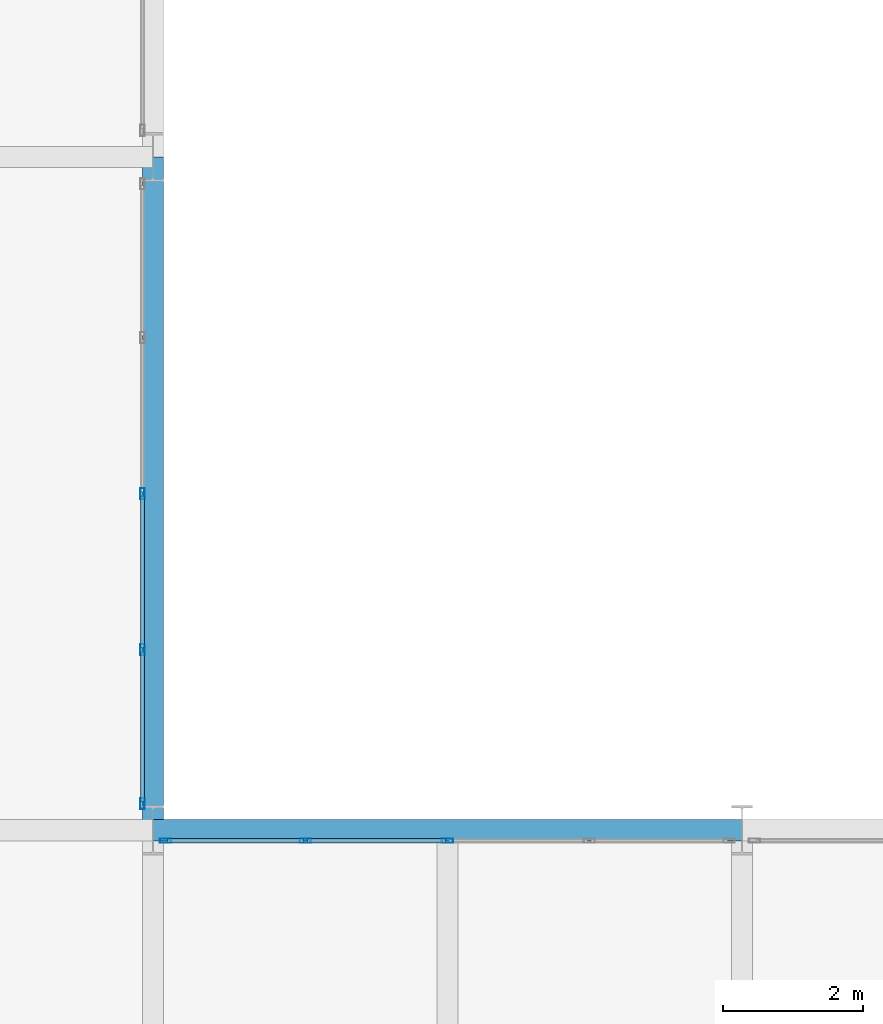
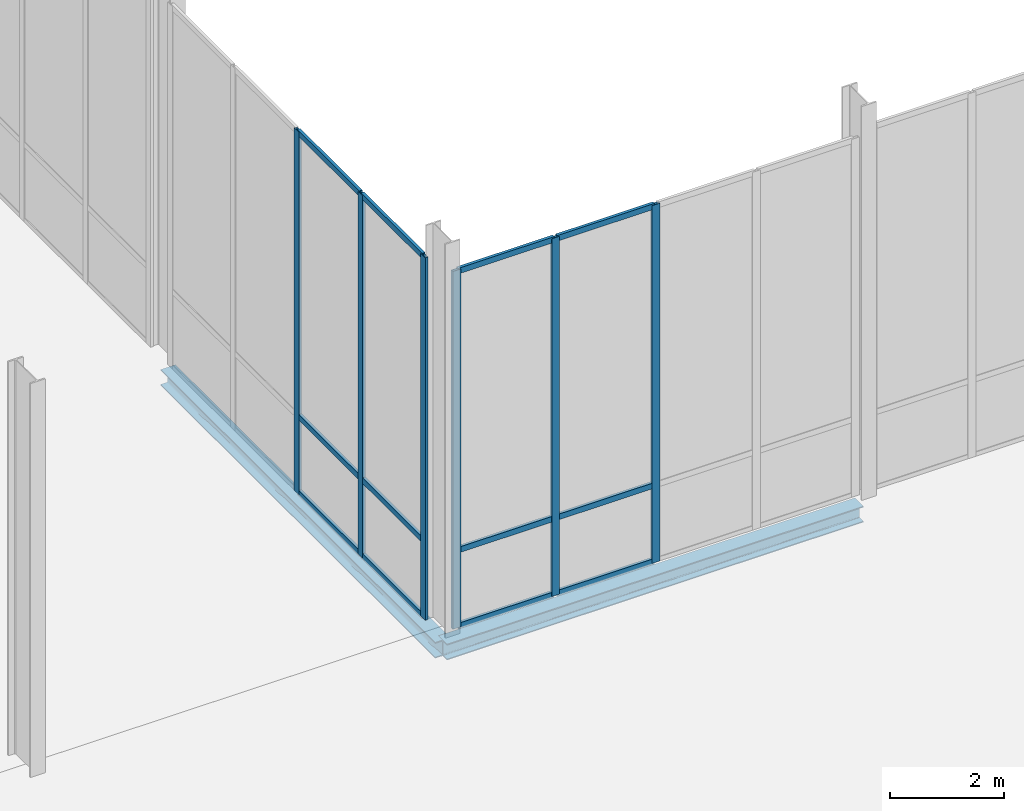
# One storey, part 72 of 131: 18 members, 2 beams, 2 elements without a shape of their own.
"""IFC4 building model written with IfcOpenShell, lengths in metres."""

from ifc_helpers import new_model, si_unit, direction, frame, origin, origin_2d, place, context, subcontext, project, spatial, hollow_rectangle, i_section, extrude, material, material_profile, profile_set, type_object, element, aggregate, save


model = new_model("IFC4")

# Units and contexts
model_context = context("Model", 3, precision=1e-05, world=origin(), true_north=direction((0.0, 1.0)))
body_context = subcontext(model_context, "Body", "Model", "MODEL_VIEW")
ifc_project = project(units=[si_unit("LENGTHUNIT", "METRE"), si_unit("AREAUNIT", "SQUARE_METRE"), si_unit("VOLUMEUNIT", "CUBIC_METRE"), si_unit("PLANEANGLEUNIT", "RADIAN"), si_unit("MASSUNIT", "GRAM", prefix="KILO")], contexts=[model_context])

# Site, building, storey
site_placement = place(None, origin())
site = spatial("IfcSite", under=ifc_project, at=site_placement, CompositionType="ELEMENT")
building_placement = place(site_placement, origin())
building = spatial("IfcBuilding", under=site, at=building_placement, Name="Veltarok Museum of Natural Sciences", CompositionType="ELEMENT")
storey_placement = place(building_placement, origin())
storey = spatial("IfcBuildingStorey", under=building, at=storey_placement, Name="L00", CompositionType="ELEMENT", Elevation=0.0)

# Curtain wall, members
ifc_material_1 = material(Name="Low-iron triple insulated glass", Category="glass")
curtain_wall_type_1 = type_object("IfcCurtainWallType", Name="Curtain Wall System CW-V2NH-L00-3-810x763 (CW-V2NH L00 810x763cm)", PredefinedType="NOTDEFINED", material=ifc_material_1)
curtain_wall_1_placement = place(storey_placement, origin())
curtain_wall_1 = element("IfcCurtainWall", 1, at=curtain_wall_1_placement, inside=storey, type_object=curtain_wall_type_1, Name="Curtain Wall CW-V2NH-L00-3-810x763 CW-0151", PredefinedType="NOTDEFINED")
ifc_material_2 = material(Name="Thermally broken anodised aluminium", Category="aluminium")
ifc_material_profile_1 = material_profile(ifc_material_2, hollow_rectangle(XDim=0.06005859375, YDim=0.1201171875, WallThickness=0.0048828125, at=origin_2d()), Name="CW TRANSOM 60x120x5")
ifc_profile_set_1 = profile_set([ifc_material_profile_1], Name="Thermally broken anodised aluminium")
member_type_1 = type_object("IfcMemberType", Name="Curtain Wall Horizontal Transom 60x120x5", PredefinedType="USERDEFINED", material=ifc_profile_set_1)
member_1_placement = place(storey_placement, frame((86.169921875, 71.85009765625, 0.028076171875), z_axis=(-1.0, 0.0, 0.0), x_axis=(0.0, -1.0, 0.0)))
member_1 = element("IfcMember", 2, at=member_1_placement, type_object=member_type_1, Name="CW-V2NH-L00-3-810x763 transom 3.1", ObjectType="TRANSOM", PredefinedType="USERDEFINED", context=body_context, shape_type="SweptSolid", body=[
    extrude(hollow_rectangle(XDim=0.06005859375, YDim=0.1201171875, WallThickness=0.0048828125, at=origin_2d()), origin(), (0.0, 0.0, 1.0), 1.96484375),
])
member_2_placement = place(storey_placement, frame((86.169921875, 71.85009765625, 1.64794921875), z_axis=(-1.0, 0.0, 0.0), x_axis=(0.0, -1.0, 0.0)))
member_2 = element("IfcMember", 3, at=member_2_placement, type_object=member_type_1, Name="CW-V2NH-L00-3-810x763 transom 3.2", ObjectType="TRANSOM", PredefinedType="USERDEFINED", context=body_context, shape_type="SweptSolid", body=[
    extrude(hollow_rectangle(XDim=0.06005859375, YDim=0.1201171875, WallThickness=0.0048828125, at=origin_2d()), origin(), (0.0, 0.0, 1.0), 1.96484375),
])
member_3_placement = place(storey_placement, frame((86.169921875, 71.85009765625, 7.60009765625), z_axis=(-1.0, 0.0, 0.0), x_axis=(0.0, -1.0, 0.0)))
member_3 = element("IfcMember", 4, at=member_3_placement, type_object=member_type_1, Name="CW-V2NH-L00-3-810x763 transom 3.3", ObjectType="TRANSOM", PredefinedType="USERDEFINED", context=body_context, shape_type="SweptSolid", body=[
    extrude(hollow_rectangle(XDim=0.06005859375, YDim=0.1201171875, WallThickness=0.0048828125, at=origin_2d()), origin(), (0.0, 0.0, 1.0), 1.96484375),
])
member_4_placement = place(storey_placement, frame((84.14501953125, 71.85009765625, 0.028076171875), z_axis=(-1.0, 0.0, 0.0), x_axis=(0.0, -1.0, 0.0)))
member_4 = element("IfcMember", 5, at=member_4_placement, type_object=member_type_1, Name="CW-V2NH-L00-3-810x763 transom 4.1", ObjectType="TRANSOM", PredefinedType="USERDEFINED", context=body_context, shape_type="SweptSolid", body=[
    extrude(hollow_rectangle(XDim=0.06005859375, YDim=0.1201171875, WallThickness=0.0048828125, at=origin_2d()), origin(), (0.0, 0.0, 1.0), 1.93505859375),
])
member_5_placement = place(storey_placement, frame((84.14501953125, 71.85009765625, 1.64794921875), z_axis=(-1.0, 0.0, 0.0), x_axis=(0.0, -1.0, 0.0)))
member_5 = element("IfcMember", 6, at=member_5_placement, type_object=member_type_1, Name="CW-V2NH-L00-3-810x763 transom 4.2", ObjectType="TRANSOM", PredefinedType="USERDEFINED", context=body_context, shape_type="SweptSolid", body=[
    extrude(hollow_rectangle(XDim=0.06005859375, YDim=0.1201171875, WallThickness=0.0048828125, at=origin_2d()), origin(), (0.0, 0.0, 1.0), 1.93505859375),
])
member_6_placement = place(storey_placement, frame((84.14501953125, 71.85009765625, 7.60009765625), z_axis=(-1.0, 0.0, 0.0), x_axis=(0.0, -1.0, 0.0)))
member_6 = element("IfcMember", 7, at=member_6_placement, type_object=member_type_1, Name="CW-V2NH-L00-3-810x763 transom 4.3", ObjectType="TRANSOM", PredefinedType="USERDEFINED", context=body_context, shape_type="SweptSolid", body=[
    extrude(hollow_rectangle(XDim=0.06005859375, YDim=0.1201171875, WallThickness=0.0048828125, at=origin_2d()), origin(), (0.0, 0.0, 1.0), 1.93505859375),
])

curtain_wall_type_2 = type_object("IfcCurtainWallType", Name="Curtain Wall System CW-V2NPE-L00-1-890x773 (CW-V2NPE L00 890x773cm)", PredefinedType="NOTDEFINED", material=ifc_material_1)
curtain_wall_2_placement = place(storey_placement, origin())
curtain_wall_2 = element("IfcCurtainWall", 8, at=curtain_wall_2_placement, inside=storey, type_object=curtain_wall_type_2, Name="Curtain Wall CW-V2NPE-L00-1-890x773 CW-0217", PredefinedType="NOTDEFINED")
member_7_placement = place(storey_placement, frame((81.85009765625, 72.409912109375, 0.028076171875), z_axis=(0.0, 1.0, 0.0), x_axis=(-1.0, 0.0, 0.0)))
member_7 = element("IfcMember", 9, at=member_7_placement, type_object=member_type_1, Name="CW-V2NPE-L00-1-890x773 transom 1.1", ObjectType="TRANSOM", PredefinedType="USERDEFINED", context=body_context, shape_type="SweptSolid", body=[
    extrude(hollow_rectangle(XDim=0.06005859375, YDim=0.1201171875, WallThickness=0.0048828125, at=origin_2d()), origin(), (0.0, 0.0, 1.0), 2.135009765625),
])
member_8_placement = place(storey_placement, frame((81.85009765625, 72.409912109375, 1.64794921875), z_axis=(0.0, 1.0, 0.0), x_axis=(-1.0, 0.0, 0.0)))
member_8 = element("IfcMember", 10, at=member_8_placement, type_object=member_type_1, Name="CW-V2NPE-L00-1-890x773 transom 1.2", ObjectType="TRANSOM", PredefinedType="USERDEFINED", context=body_context, shape_type="SweptSolid", body=[
    extrude(hollow_rectangle(XDim=0.06005859375, YDim=0.1201171875, WallThickness=0.0048828125, at=origin_2d()), origin(), (0.0, 0.0, 1.0), 2.135009765625),
])
member_9_placement = place(storey_placement, frame((81.85009765625, 72.409912109375, 7.699951171875), z_axis=(0.0, 1.0, 0.0), x_axis=(-1.0, 0.0, 0.0)))
member_9 = element("IfcMember", 11, at=member_9_placement, type_object=member_type_1, Name="CW-V2NPE-L00-1-890x773 transom 1.3", ObjectType="TRANSOM", PredefinedType="USERDEFINED", context=body_context, shape_type="SweptSolid", body=[
    extrude(hollow_rectangle(XDim=0.06005859375, YDim=0.1201171875, WallThickness=0.0048828125, at=origin_2d()), origin(), (0.0, 0.0, 1.0), 2.135009765625),
])
member_10_placement = place(storey_placement, frame((81.85009765625, 74.60498046875, 0.028076171875), z_axis=(0.0, 1.0, 0.0), x_axis=(-1.0, 0.0, 0.0)))
member_10 = element("IfcMember", 12, at=member_10_placement, type_object=member_type_1, Name="CW-V2NPE-L00-1-890x773 transom 2.1", ObjectType="TRANSOM", PredefinedType="USERDEFINED", context=body_context, shape_type="SweptSolid", body=[
    extrude(hollow_rectangle(XDim=0.06005859375, YDim=0.1201171875, WallThickness=0.0048828125, at=origin_2d()), origin(), (0.0, 0.0, 1.0), 2.1650390625),
])
member_11_placement = place(storey_placement, frame((81.85009765625, 74.60498046875, 1.64794921875), z_axis=(0.0, 1.0, 0.0), x_axis=(-1.0, 0.0, 0.0)))
member_11 = element("IfcMember", 13, at=member_11_placement, type_object=member_type_1, Name="CW-V2NPE-L00-1-890x773 transom 2.2", ObjectType="TRANSOM", PredefinedType="USERDEFINED", context=body_context, shape_type="SweptSolid", body=[
    extrude(hollow_rectangle(XDim=0.06005859375, YDim=0.1201171875, WallThickness=0.0048828125, at=origin_2d()), origin(), (0.0, 0.0, 1.0), 2.1650390625),
])
member_12_placement = place(storey_placement, frame((81.85009765625, 74.60498046875, 7.699951171875), z_axis=(0.0, 1.0, 0.0), x_axis=(-1.0, 0.0, 0.0)))
member_12 = element("IfcMember", 14, at=member_12_placement, type_object=member_type_1, Name="CW-V2NPE-L00-1-890x773 transom 2.3", ObjectType="TRANSOM", PredefinedType="USERDEFINED", context=body_context, shape_type="SweptSolid", body=[
    extrude(hollow_rectangle(XDim=0.06005859375, YDim=0.1201171875, WallThickness=0.0048828125, at=origin_2d()), origin(), (0.0, 0.0, 1.0), 2.1650390625),
])

# Member
ifc_material_profile_2 = material_profile(ifc_material_2, hollow_rectangle(XDim=0.06005859375, YDim=0.159912109375, WallThickness=0.0048828125, at=origin_2d()), Name="CW MULLION 60x160x5")
ifc_profile_set_2 = profile_set([ifc_material_profile_2], Name="Thermally broken anodised aluminium")
member_type_2 = type_object("IfcMemberType", Name="Curtain Wall Vertical Mullion 60x160x5", PredefinedType="MULLION", material=ifc_profile_set_2)
member_13_placement = place(storey_placement, frame((86.199951171875, 71.85009765625, -0.001953125), z_axis=(0.0, 0.0, 1.0), x_axis=(0.0, -1.0, 0.0)))
member_13 = element("IfcMember", 15, at=member_13_placement, type_object=member_type_2, Name="CW-V2NH-L00-3-810x763 mullion 3", PredefinedType="MULLION", context=body_context, shape_type="SweptSolid", body=[
    extrude(hollow_rectangle(XDim=0.06005859375, YDim=0.159912109375, WallThickness=0.0048828125, at=origin_2d()), origin(), (0.0, 0.0, 1.0), 7.6318359375),
])

member_14_placement = place(storey_placement, frame((84.175048828125, 71.85009765625, -0.001953125), z_axis=(0.0, 0.0, 1.0), x_axis=(0.0, -1.0, 0.0)))
member_14 = element("IfcMember", 16, at=member_14_placement, type_object=member_type_2, Name="CW-V2NH-L00-3-810x763 mullion 4", PredefinedType="MULLION", context=body_context, shape_type="SweptSolid", body=[
    extrude(hollow_rectangle(XDim=0.06005859375, YDim=0.159912109375, WallThickness=0.0048828125, at=origin_2d()), origin(), (0.0, 0.0, 1.0), 7.6318359375),
])

member_15_placement = place(storey_placement, frame((82.179931640625, 71.85009765625, -0.001953125), z_axis=(0.0, 0.0, 1.0), x_axis=(0.0, -1.0, 0.0)))
member_15 = element("IfcMember", 17, at=member_15_placement, type_object=member_type_2, Name="CW-V2NH-L00-3-810x763 mullion 5", PredefinedType="MULLION", context=body_context, shape_type="SweptSolid", body=[
    extrude(hollow_rectangle(XDim=0.06005859375, YDim=0.159912109375, WallThickness=0.0048828125, at=origin_2d()), origin(), (0.0, 0.0, 1.0), 7.6318359375),
])

aggregate(curtain_wall_1, [member_13, member_14, member_15, member_1, member_2, member_3, member_4, member_5, member_6])

member_16_placement = place(storey_placement, frame((81.85009765625, 72.3798828125, -0.001953125), z_axis=(0.0, 0.0, 1.0), x_axis=(-1.0, 0.0, 0.0)))
member_16 = element("IfcMember", 18, at=member_16_placement, type_object=member_type_2, Name="CW-V2NPE-L00-1-890x773 mullion 1", PredefinedType="MULLION", context=body_context, shape_type="SweptSolid", body=[
    extrude(hollow_rectangle(XDim=0.06005859375, YDim=0.159912109375, WallThickness=0.0048828125, at=origin_2d()), origin(), (0.0, 0.0, 1.0), 7.73193359375),
])

member_17_placement = place(storey_placement, frame((81.85009765625, 74.574951171875, -0.001953125), z_axis=(0.0, 0.0, 1.0), x_axis=(-1.0, 0.0, 0.0)))
member_17 = element("IfcMember", 19, at=member_17_placement, type_object=member_type_2, Name="CW-V2NPE-L00-1-890x773 mullion 2", PredefinedType="MULLION", context=body_context, shape_type="SweptSolid", body=[
    extrude(hollow_rectangle(XDim=0.06005859375, YDim=0.159912109375, WallThickness=0.0048828125, at=origin_2d()), origin(), (0.0, 0.0, 1.0), 7.73193359375),
])

member_18_placement = place(storey_placement, frame((81.85009765625, 76.800048828125, -0.001953125), z_axis=(0.0, 0.0, 1.0), x_axis=(-1.0, 0.0, 0.0)))
member_18 = element("IfcMember", 20, at=member_18_placement, type_object=member_type_2, Name="CW-V2NPE-L00-1-890x773 mullion 3", PredefinedType="MULLION", context=body_context, shape_type="SweptSolid", body=[
    extrude(hollow_rectangle(XDim=0.06005859375, YDim=0.159912109375, WallThickness=0.0048828125, at=origin_2d()), origin(), (0.0, 0.0, 1.0), 7.73193359375),
])

aggregate(curtain_wall_2, [member_16, member_17, member_18, member_7, member_8, member_9, member_10, member_11, member_12])

# Beams
ifc_material_3 = material(Name="Steel S355J2", Category="steel")
ifc_material_profile_3 = material_profile(ifc_material_3, i_section(OverallWidth=0.300048828125, OverallDepth=0.340087890625, WebThickness=0.011962890625, FlangeThickness=0.021484375, FilletRadius=0.027099609375, at=origin_2d()), Name="HEB 340")
ifc_profile_set_3 = profile_set([ifc_material_profile_3], Name="Steel S355J2")
beam_type = type_object("IfcBeamType", Name="Perimeter Bridge Spandrel HEB 340", PredefinedType="SPANDREL", material=ifc_profile_set_3)
beam_1_placement = place(storey_placement, frame((82.0, 72.0, -0.469970703125), z_axis=(1.0, 0.0, 0.0), x_axis=(0.0, 1.0, 0.0)))
element("IfcBeam", 21, at=beam_1_placement, inside=storey, type_object=beam_type, Name="Beam BM-SP07 L00 10-11/H", PredefinedType="SPANDREL", context=body_context, shape_type="SweptSolid", body=[
    extrude(i_section(OverallWidth=0.300048828125, OverallDepth=0.340087890625, WebThickness=0.011962890625, FlangeThickness=0.021484375, FilletRadius=0.027099609375, at=origin_2d()), origin(), (0.0, 0.0, 1.0), 8.39990234375),
])
beam_2_placement = place(storey_placement, frame((82.0, 72.0, -0.469970703125), z_axis=(0.0, 1.0, 0.0), x_axis=(-1.0, 0.0, 0.0)))
element("IfcBeam", 22, at=beam_2_placement, inside=storey, type_object=beam_type, Name="Beam BM-SP07 L00 10/H-J", PredefinedType="SPANDREL", context=body_context, shape_type="SweptSolid", body=[
    extrude(i_section(OverallWidth=0.300048828125, OverallDepth=0.340087890625, WebThickness=0.011962890625, FlangeThickness=0.021484375, FilletRadius=0.027099609375, at=origin_2d()), origin(), (0.0, 0.0, 1.0), 9.60009765625),
])

save(model, "model.ifc")
